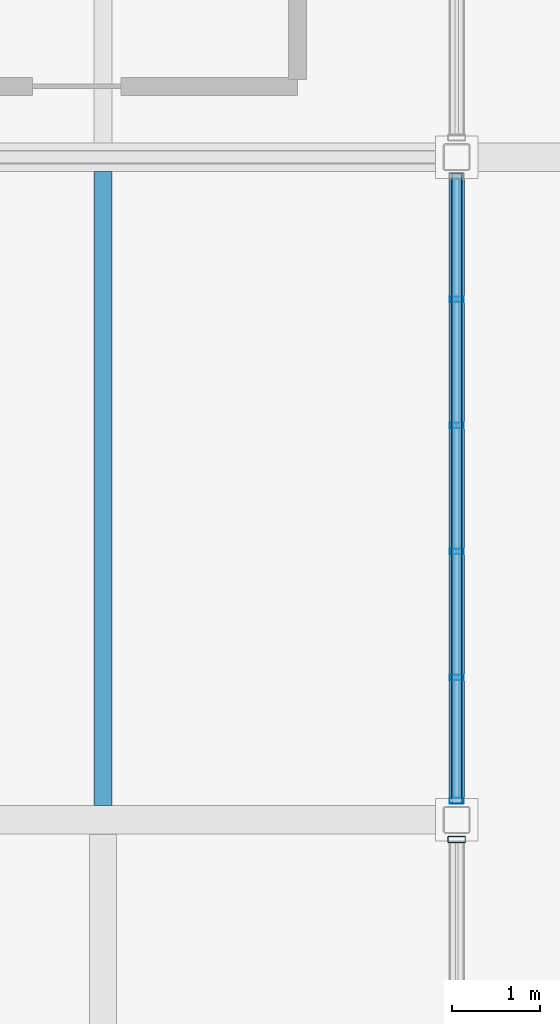
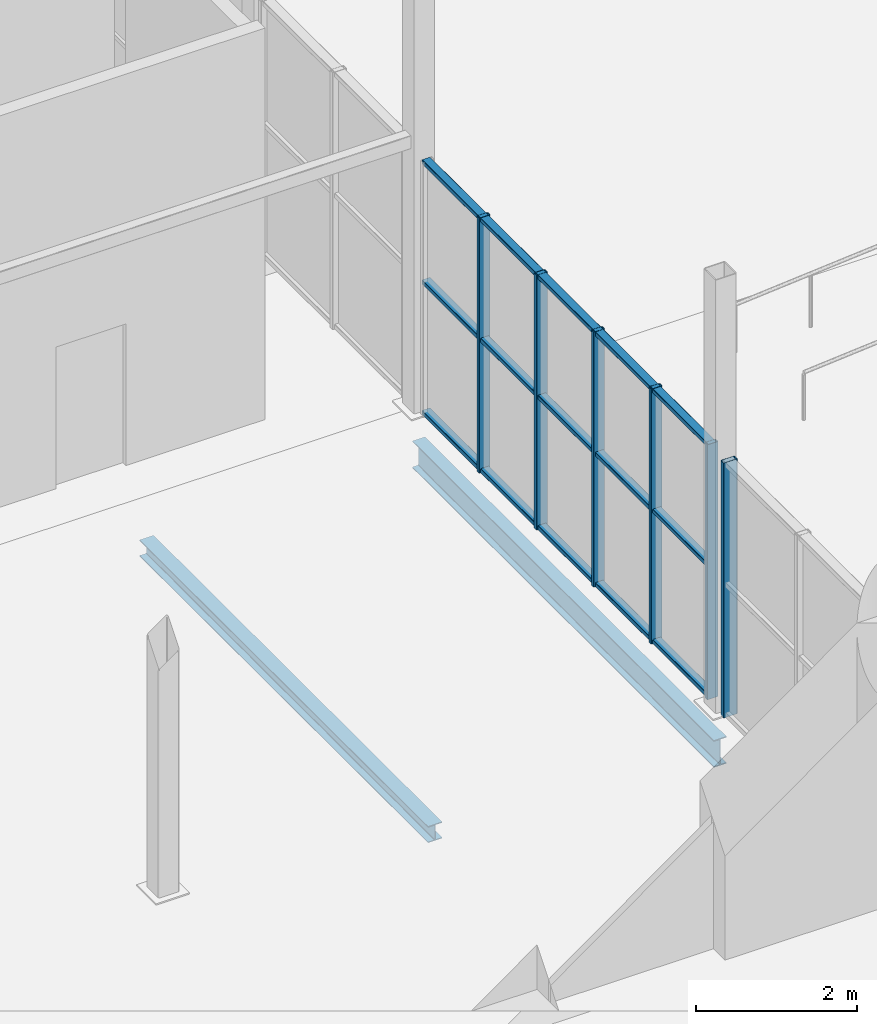
# One storey, part 31 of 140: 9 members, 2 beams, 2 elements without a shape of their own.
"""IFC4 building model written with IfcOpenShell, lengths in metres."""

from ifc_helpers import new_model, si_unit, direction, frame, origin, origin_2d, place, context, subcontext, project, spatial, hollow_rectangle, i_section, extrude, material, material_profile, profile_set, type_object, element, aggregate, save


model = new_model("IFC4")

# Units and contexts
model_context = context("Model", 3, precision=1e-05, world=origin(), true_north=direction((0.0, 1.0)))
body_context = subcontext(model_context, "Body", "Model", "MODEL_VIEW")
ifc_project = project(units=[si_unit("LENGTHUNIT", "METRE"), si_unit("AREAUNIT", "SQUARE_METRE"), si_unit("VOLUMEUNIT", "CUBIC_METRE"), si_unit("PLANEANGLEUNIT", "RADIAN"), si_unit("MASSUNIT", "GRAM", prefix="KILO")], contexts=[model_context])

# Site, building, storey
site_placement = place(None, origin())
site = spatial("IfcSite", under=ifc_project, at=site_placement, CompositionType="ELEMENT")
building_placement = place(site_placement, origin())
building = spatial("IfcBuilding", under=site, at=building_placement, Name="Verrall Gate Interchange", CompositionType="ELEMENT")
storey_placement = place(building_placement, origin())
storey = spatial("IfcBuildingStorey", under=building, at=storey_placement, Name="L01", CompositionType="ELEMENT", Elevation=0.0)

# Beam
ifc_material_1 = material(Name="Structural Steel CSA G40.21 350W", Category="steel")
ifc_material_profile_1 = material_profile(ifc_material_1, i_section(OverallWidth=0.178955078125, OverallDepth=0.409912109375, WebThickness=0.0087890625, FlangeThickness=0.014404296875, FilletRadius=0.011962890625, at=origin_2d()), Name="W410x67")
ifc_profile_set_1 = profile_set([ifc_material_profile_1], Name="Structural Steel CSA G40.21 350W")
beam_type_1 = type_object("IfcBeamType", Name="B-12 Structural Beam W410x67", PredefinedType="BEAM", material=ifc_profile_set_1)
beam_1_placement = place(storey_placement, frame((108.0, 4.5, -0.705078125), z_axis=(0.0, 1.0, 0.0), x_axis=(-1.0, 0.0, 0.0)))
element("IfcBeam", 1, at=beam_1_placement, inside=storey, type_object=beam_type_1, Name="L01 Girder BM-L01-1170 (B-12)", PredefinedType="BEAM", context=body_context, shape_type="SweptSolid", body=[
    extrude(i_section(OverallWidth=0.178955078125, OverallDepth=0.409912109375, WebThickness=0.0087890625, FlangeThickness=0.014404296875, FilletRadius=0.011962890625, at=origin_2d()), origin(), (0.0, 0.0, 1.0), 7.5),
])

# Curtain wall, members
ifc_material_2 = material(Name="Thermally Broken Anodized Aluminium Curtain Wall Framing", Category="aluminium")
curtain_wall_type_1 = type_object("IfcCurtainWallType", Name="CW-02 Unitized Curtain Wall 7131x3870", PredefinedType="NOTDEFINED", material=ifc_material_2)
curtain_wall_1_placement = place(storey_placement, origin())
curtain_wall_1 = element("IfcCurtainWall", 2, at=curtain_wall_1_placement, inside=storey, type_object=curtain_wall_type_1, Name="L01 Unitized Curtain Wall CW-L01-002", PredefinedType="NOTDEFINED")
ifc_material_3 = material(Name="Thermally Broken Anodized Aluminium Curtain Wall Framing", Category="aluminium")
ifc_material_profile_2 = material_profile(ifc_material_3, hollow_rectangle(XDim=0.06494140625, YDim=0.159912109375, WallThickness=0.00390625, InnerFilletRadius=0.00390625, OuterFilletRadius=0.008056640625, at=origin_2d()), Name="CWM160x65x4")
ifc_profile_set_2 = profile_set([ifc_material_profile_2], Name="Thermally Broken Anodized Aluminium Curtain Wall Framing")
member_type_1 = type_object("IfcMemberType", Name="CM-01 Curtain Mullion CWM160x65x4", PredefinedType="MULLION", material=ifc_profile_set_2)
member_1_placement = place(storey_placement, frame((108.0, 4.717041015625, 0.0), z_axis=(0.0, 0.0, 1.0), x_axis=(0.0, 1.0, 0.0)))
member_1 = element("IfcMember", 3, at=member_1_placement, type_object=member_type_1, Name="CW-L01-002 Mullion 1", PredefinedType="MULLION", context=body_context, shape_type="SweptSolid", body=[
    extrude(hollow_rectangle(XDim=0.06494140625, YDim=0.159912109375, WallThickness=0.00390625, InnerFilletRadius=0.00390625, OuterFilletRadius=0.008056640625, at=origin_2d()), origin(), (0.0, 0.0, 1.0), 3.8701171875),
])
member_2_placement = place(storey_placement, frame((108.0, 6.110595703125, 0.0), z_axis=(0.0, 0.0, 1.0), x_axis=(0.0, 1.0, 0.0)))
member_2 = element("IfcMember", 4, at=member_2_placement, type_object=member_type_1, Name="CW-L01-002 Mullion 2", PredefinedType="MULLION", context=body_context, shape_type="SweptSolid", body=[
    extrude(hollow_rectangle(XDim=0.06494140625, YDim=0.159912109375, WallThickness=0.00390625, InnerFilletRadius=0.00390625, OuterFilletRadius=0.008056640625, at=origin_2d()), origin(), (0.0, 0.0, 1.0), 3.8701171875),
])
member_3_placement = place(storey_placement, frame((108.0, 7.536865234375, 0.0), z_axis=(0.0, 0.0, 1.0), x_axis=(0.0, 1.0, 0.0)))
member_3 = element("IfcMember", 5, at=member_3_placement, type_object=member_type_1, Name="CW-L01-002 Mullion 3", PredefinedType="MULLION", context=body_context, shape_type="SweptSolid", body=[
    extrude(hollow_rectangle(XDim=0.06494140625, YDim=0.159912109375, WallThickness=0.00390625, InnerFilletRadius=0.00390625, OuterFilletRadius=0.008056640625, at=origin_2d()), origin(), (0.0, 0.0, 1.0), 3.8701171875),
])
member_4_placement = place(storey_placement, frame((108.0, 8.963134765625, 0.0), z_axis=(0.0, 0.0, 1.0), x_axis=(0.0, 1.0, 0.0)))
member_4 = element("IfcMember", 6, at=member_4_placement, type_object=member_type_1, Name="CW-L01-002 Mullion 4", PredefinedType="MULLION", context=body_context, shape_type="SweptSolid", body=[
    extrude(hollow_rectangle(XDim=0.06494140625, YDim=0.159912109375, WallThickness=0.00390625, InnerFilletRadius=0.00390625, OuterFilletRadius=0.008056640625, at=origin_2d()), origin(), (0.0, 0.0, 1.0), 3.8701171875),
])
member_5_placement = place(storey_placement, frame((108.0, 10.389404296875, 0.0), z_axis=(0.0, 0.0, 1.0), x_axis=(0.0, 1.0, 0.0)))
member_5 = element("IfcMember", 7, at=member_5_placement, type_object=member_type_1, Name="CW-L01-002 Mullion 5", PredefinedType="MULLION", context=body_context, shape_type="SweptSolid", body=[
    extrude(hollow_rectangle(XDim=0.06494140625, YDim=0.159912109375, WallThickness=0.00390625, InnerFilletRadius=0.00390625, OuterFilletRadius=0.008056640625, at=origin_2d()), origin(), (0.0, 0.0, 1.0), 3.8701171875),
])

# Curtain wall, member
ifc_material_4 = material(Name="Thermally Broken Anodized Aluminium Curtain Wall Framing", Category="aluminium")
curtain_wall_type_2 = type_object("IfcCurtainWallType", Name="CW-01 Unitized Curtain Wall 3734x3870", PredefinedType="NOTDEFINED", material=ifc_material_4)
curtain_wall_2_placement = place(storey_placement, origin())
curtain_wall_2 = element("IfcCurtainWall", 8, at=curtain_wall_2_placement, inside=storey, type_object=curtain_wall_type_2, Name="L01 Unitized Curtain Wall CW-L01-001", PredefinedType="NOTDEFINED")
ifc_material_5 = material(Name="Thermally Broken Anodized Aluminium Curtain Wall Framing", Category="aluminium")
ifc_material_profile_3 = material_profile(ifc_material_5, hollow_rectangle(XDim=0.074951171875, YDim=0.199951171875, WallThickness=0.0048828125, InnerFilletRadius=0.0048828125, OuterFilletRadius=0.010009765625, at=origin_2d()), Name="CWM200x75x5")
ifc_profile_set_3 = profile_set([ifc_material_profile_3], Name="Thermally Broken Anodized Aluminium Curtain Wall Framing")
member_type_2 = type_object("IfcMemberType", Name="CM-02 Curtain Mullion CWM200x75x5", PredefinedType="MULLION", material=ifc_profile_set_3)
member_6_placement = place(storey_placement, frame((108.0, 4.278076171875, 0.0), z_axis=(0.0, 0.0, 1.0), x_axis=(0.0, 1.0, 0.0)))
member_6 = element("IfcMember", 9, at=member_6_placement, type_object=member_type_2, Name="CW-L01-001 Mullion 3", PredefinedType="MULLION", context=body_context, shape_type="SweptSolid", body=[
    extrude(hollow_rectangle(XDim=0.074951171875, YDim=0.199951171875, WallThickness=0.0048828125, InnerFilletRadius=0.0048828125, OuterFilletRadius=0.010009765625, at=origin_2d()), origin(), (0.0, 0.0, 1.0), 3.8701171875),
])
aggregate(curtain_wall_2, [member_6])

# Member
ifc_material_6 = material(Name="Thermally Broken Anodized Aluminium Curtain Wall Framing", Category="aluminium")
ifc_material_profile_4 = material_profile(ifc_material_6, hollow_rectangle(XDim=0.1201171875, YDim=0.06494140625, WallThickness=0.00390625, InnerFilletRadius=0.00390625, OuterFilletRadius=0.008056640625, at=origin_2d()), Name="CWT120x65x4")
ifc_profile_set_4 = profile_set([ifc_material_profile_4], Name="Thermally Broken Anodized Aluminium Curtain Wall Framing")
member_type_3 = type_object("IfcMemberType", Name="CT-01 Curtain Transom CWT120x65x4", PredefinedType="USERDEFINED", material=ifc_profile_set_4)
member_7_placement = place(storey_placement, frame((108.0, 4.6845703125, 0.032470703125), z_axis=(0.0, 1.0, 0.0), x_axis=(-1.0, 0.0, 0.0)))
member_7 = element("IfcMember", 10, at=member_7_placement, type_object=member_type_3, Name="CW-L01-002 Transom 1", ObjectType="TRANSOM", PredefinedType="USERDEFINED", context=body_context, shape_type="SweptSolid", body=[
    extrude(hollow_rectangle(XDim=0.1201171875, YDim=0.06494140625, WallThickness=0.00390625, InnerFilletRadius=0.00390625, OuterFilletRadius=0.008056640625, at=origin_2d()), origin(), (0.0, 0.0, 1.0), 7.130859375),
])

member_8_placement = place(storey_placement, frame((108.0, 4.6845703125, 2.012451171875), z_axis=(0.0, 1.0, 0.0), x_axis=(-1.0, 0.0, 0.0)))
member_8 = element("IfcMember", 11, at=member_8_placement, type_object=member_type_3, Name="CW-L01-002 Transom 2", ObjectType="TRANSOM", PredefinedType="USERDEFINED", context=body_context, shape_type="SweptSolid", body=[
    extrude(hollow_rectangle(XDim=0.1201171875, YDim=0.06494140625, WallThickness=0.00390625, InnerFilletRadius=0.00390625, OuterFilletRadius=0.008056640625, at=origin_2d()), origin(), (0.0, 0.0, 1.0), 7.130859375),
])

member_9_placement = place(storey_placement, frame((108.0, 4.6845703125, 3.83740234375), z_axis=(0.0, 1.0, 0.0), x_axis=(-1.0, 0.0, 0.0)))
member_9 = element("IfcMember", 12, at=member_9_placement, type_object=member_type_3, Name="CW-L01-002 Transom 3", ObjectType="TRANSOM", PredefinedType="USERDEFINED", context=body_context, shape_type="SweptSolid", body=[
    extrude(hollow_rectangle(XDim=0.1201171875, YDim=0.06494140625, WallThickness=0.00390625, InnerFilletRadius=0.00390625, OuterFilletRadius=0.008056640625, at=origin_2d()), origin(), (0.0, 0.0, 1.0), 7.130859375),
])

aggregate(curtain_wall_1, [member_1, member_2, member_3, member_4, member_5, member_7, member_8, member_9])

# Beam
ifc_material_7 = material(Name="Structural Steel CSA G40.21 350W", Category="steel")
ifc_material_profile_5 = material_profile(ifc_material_7, i_section(OverallWidth=0.201904296875, OverallDepth=0.2470703125, WebThickness=0.00732421875, FlangeThickness=0.010986328125, FilletRadius=0.010986328125, at=origin_2d()), Name="W250x49")
ifc_profile_set_5 = profile_set([ifc_material_profile_5], Name="Structural Steel CSA G40.21 350W")
beam_type_2 = type_object("IfcBeamType", Name="J-06 Floor Joist W250x49", PredefinedType="JOIST", material=ifc_profile_set_5)
beam_2_placement = place(storey_placement, frame((104.0, 4.662109375, -0.62353515625), z_axis=(0.0, 1.0, 0.0), x_axis=(-1.0, 0.0, 0.0)))
element("IfcBeam", 13, at=beam_2_placement, inside=storey, type_object=beam_type_2, Name="L01 Secondary Floor Joist JST-L01-1278", PredefinedType="JOIST", context=body_context, shape_type="SweptSolid", body=[
    extrude(i_section(OverallWidth=0.201904296875, OverallDepth=0.2470703125, WebThickness=0.00732421875, FlangeThickness=0.010986328125, FilletRadius=0.010986328125, at=origin_2d()), origin(), (0.0, 0.0, 1.0), 7.17578125),
])

save(model, "model.ifc")
